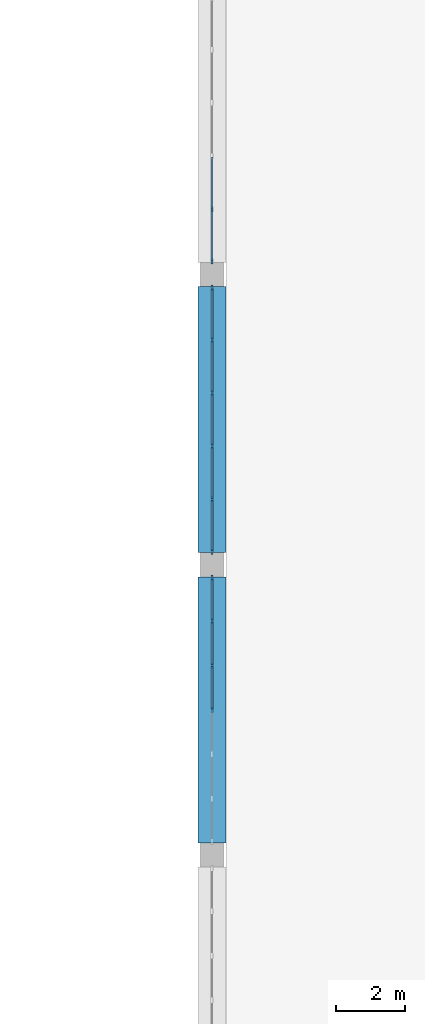
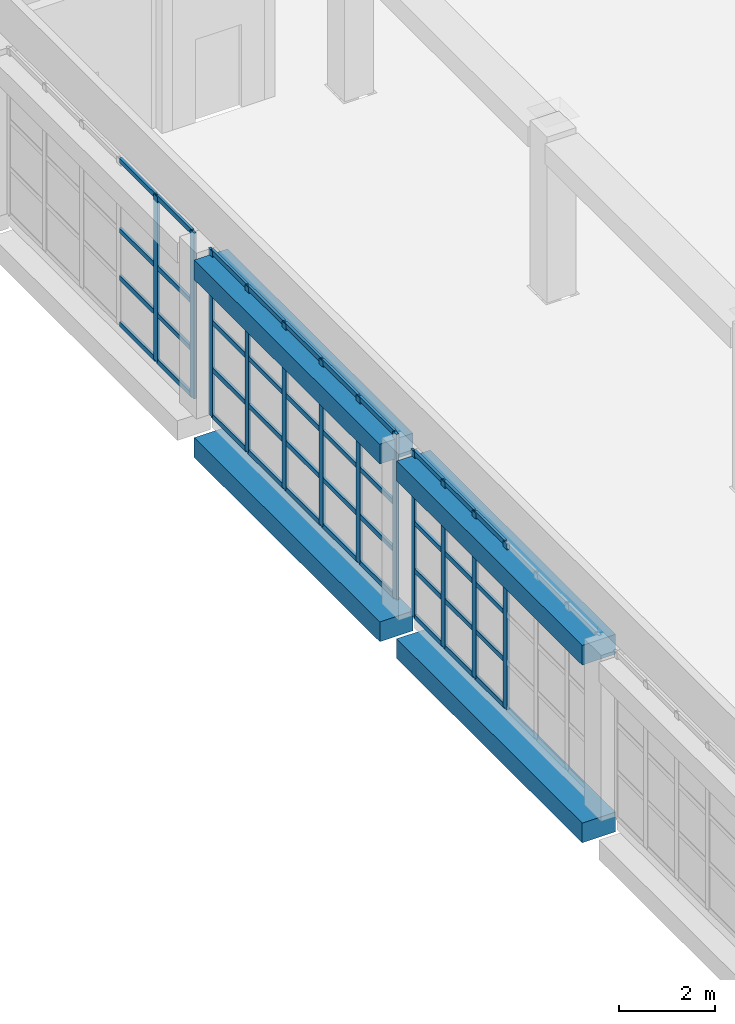
# One storey, part 40 of 162: 52 members, 4 beams, 3 elements without a shape of their own.
"""IFC4 building model written with IfcOpenShell, lengths in metres."""

from ifc_helpers import new_model, si_unit, direction, frame, origin, origin_2d, place, context, subcontext, project, spatial, rectangle, extrude, material, layer, layer_set, material_profile, profile_set, type_object, element, aggregate, save


model = new_model("IFC4")

# Units and contexts
model_context = context("Model", 3, precision=1e-05, world=origin(), true_north=direction((0.0, 1.0)))
body_context = subcontext(model_context, "Body", "Model", "MODEL_VIEW")
ifc_project = project(units=[si_unit("LENGTHUNIT", "METRE"), si_unit("AREAUNIT", "SQUARE_METRE"), si_unit("VOLUMEUNIT", "CUBIC_METRE"), si_unit("PLANEANGLEUNIT", "RADIAN"), si_unit("MASSUNIT", "GRAM", prefix="KILO")], contexts=[model_context])

# Site, building, storey
site_placement = place(None, origin())
site = spatial("IfcSite", under=ifc_project, at=site_placement, CompositionType="ELEMENT")
building_placement = place(site_placement, origin())
building = spatial("IfcBuilding", under=site, at=building_placement, Name="Rain Tree Exposition and Congress Centre", CompositionType="ELEMENT")
storey_placement = place(building_placement, frame((0.0, 0.0, 6.0)))
storey = spatial("IfcBuildingStorey", under=building, at=storey_placement, Name="L01", CompositionType="ELEMENT", Elevation=6.0)

# Curtain wall, members
ifc_material_1 = material(Name="Aluminium", Category="aluminium")
ifc_layer = layer(ifc_material_1, 0.10009765625)
ifc_layer_set = layer_set([ifc_layer], Name="Aluminium")
curtain_wall_type = type_object("IfcCurtainWallType", Name="Curtain wall congress", PredefinedType="NOTDEFINED", material=ifc_layer_set)
curtain_wall_1_placement = place(storey_placement, origin())
curtain_wall_1 = element("IfcCurtainWall", 1, at=curtain_wall_1_placement, inside=storey, type_object=curtain_wall_type, Name="Foyer curtain wall L01 bay 3", PredefinedType="NOTDEFINED")
ifc_material_2 = material(Name="Aluminium", Category="aluminium")
ifc_material_profile_1 = material_profile(ifc_material_2, rectangle(XDim=0.06005859375, YDim=0.159912109375, at=origin_2d()), Name="AL 60x160")
ifc_profile_set_1 = profile_set([ifc_material_profile_1], Name="Aluminium")
member_type_1 = type_object("IfcMemberType", Name="Curtain wall mullion 60x160 congress", PredefinedType="MULLION", material=ifc_profile_set_1)
member_1_placement = place(storey_placement, frame((151.199951171875, 29.39990234375, 0.0), z_axis=(0.0, 0.0, 1.0), x_axis=(-1.0, 0.0, 0.0)))
member_1 = element("IfcMember", 2, at=member_1_placement, type_object=member_type_1, Name="CWG403 mullion 4", PredefinedType="MULLION", context=body_context, shape_type="SweptSolid", body=[
    extrude(rectangle(XDim=0.06005859375, YDim=0.159912109375, at=origin_2d()), origin(), (0.0, 0.0, 1.0), 4.199951171875),
])
member_2_placement = place(storey_placement, frame((151.199951171875, 30.683349609375, 0.0), z_axis=(0.0, 0.0, 1.0), x_axis=(-1.0, 0.0, 0.0)))
member_2 = element("IfcMember", 3, at=member_2_placement, type_object=member_type_1, Name="CWG403 mullion 5", PredefinedType="MULLION", context=body_context, shape_type="SweptSolid", body=[
    extrude(rectangle(XDim=0.06005859375, YDim=0.159912109375, at=origin_2d()), origin(), (0.0, 0.0, 1.0), 4.199951171875),
])
member_3_placement = place(storey_placement, frame((151.199951171875, 31.966552734375, 0.0), z_axis=(0.0, 0.0, 1.0), x_axis=(-1.0, 0.0, 0.0)))
member_3 = element("IfcMember", 4, at=member_3_placement, type_object=member_type_1, Name="CWG403 mullion 6", PredefinedType="MULLION", context=body_context, shape_type="SweptSolid", body=[
    extrude(rectangle(XDim=0.06005859375, YDim=0.159912109375, at=origin_2d()), origin(), (0.0, 0.0, 1.0), 4.199951171875),
])
member_4_placement = place(storey_placement, frame((151.199951171875, 33.219970703125, 0.0), z_axis=(0.0, 0.0, 1.0), x_axis=(-1.0, 0.0, 0.0)))
member_4 = element("IfcMember", 5, at=member_4_placement, type_object=member_type_1, Name="CWG403 mullion 7", PredefinedType="MULLION", context=body_context, shape_type="SweptSolid", body=[
    extrude(rectangle(XDim=0.06005859375, YDim=0.159912109375, at=origin_2d()), origin(), (0.0, 0.0, 1.0), 4.199951171875),
])

curtain_wall_2_placement = place(storey_placement, origin())
curtain_wall_2 = element("IfcCurtainWall", 6, at=curtain_wall_2_placement, inside=storey, type_object=curtain_wall_type, Name="Foyer curtain wall L01 bay 4", PredefinedType="NOTDEFINED")
member_5_placement = place(storey_placement, frame((151.199951171875, 33.97998046875, 0.0), z_axis=(0.0, 0.0, 1.0), x_axis=(-1.0, 0.0, 0.0)))
member_5 = element("IfcMember", 7, at=member_5_placement, type_object=member_type_1, Name="CWG404 mullion 1", PredefinedType="MULLION", context=body_context, shape_type="SweptSolid", body=[
    extrude(rectangle(XDim=0.06005859375, YDim=0.159912109375, at=origin_2d()), origin(), (0.0, 0.0, 1.0), 4.199951171875),
])
member_6_placement = place(storey_placement, frame((151.199951171875, 35.489990234375, 0.0), z_axis=(0.0, 0.0, 1.0), x_axis=(-1.0, 0.0, 0.0)))
member_6 = element("IfcMember", 8, at=member_6_placement, type_object=member_type_1, Name="CWG404 mullion 2", PredefinedType="MULLION", context=body_context, shape_type="SweptSolid", body=[
    extrude(rectangle(XDim=0.06005859375, YDim=0.159912109375, at=origin_2d()), origin(), (0.0, 0.0, 1.0), 4.199951171875),
])
member_7_placement = place(storey_placement, frame((151.199951171875, 37.030029296875, 0.0), z_axis=(0.0, 0.0, 1.0), x_axis=(-1.0, 0.0, 0.0)))
member_7 = element("IfcMember", 9, at=member_7_placement, type_object=member_type_1, Name="CWG404 mullion 3", PredefinedType="MULLION", context=body_context, shape_type="SweptSolid", body=[
    extrude(rectangle(XDim=0.06005859375, YDim=0.159912109375, at=origin_2d()), origin(), (0.0, 0.0, 1.0), 4.199951171875),
])
member_8_placement = place(storey_placement, frame((151.199951171875, 38.570068359375, 0.0), z_axis=(0.0, 0.0, 1.0), x_axis=(-1.0, 0.0, 0.0)))
member_8 = element("IfcMember", 10, at=member_8_placement, type_object=member_type_1, Name="CWG404 mullion 4", PredefinedType="MULLION", context=body_context, shape_type="SweptSolid", body=[
    extrude(rectangle(XDim=0.06005859375, YDim=0.159912109375, at=origin_2d()), origin(), (0.0, 0.0, 1.0), 4.199951171875),
])
member_9_placement = place(storey_placement, frame((151.199951171875, 40.110107421875, 0.0), z_axis=(0.0, 0.0, 1.0), x_axis=(-1.0, 0.0, 0.0)))
member_9 = element("IfcMember", 11, at=member_9_placement, type_object=member_type_1, Name="CWG404 mullion 5", PredefinedType="MULLION", context=body_context, shape_type="SweptSolid", body=[
    extrude(rectangle(XDim=0.06005859375, YDim=0.159912109375, at=origin_2d()), origin(), (0.0, 0.0, 1.0), 4.199951171875),
])
member_10_placement = place(storey_placement, frame((151.199951171875, 41.6201171875, 0.0), z_axis=(0.0, 0.0, 1.0), x_axis=(-1.0, 0.0, 0.0)))
member_10 = element("IfcMember", 12, at=member_10_placement, type_object=member_type_1, Name="CWG404 mullion 6", PredefinedType="MULLION", context=body_context, shape_type="SweptSolid", body=[
    extrude(rectangle(XDim=0.06005859375, YDim=0.159912109375, at=origin_2d()), origin(), (0.0, 0.0, 1.0), 4.199951171875),
])

curtain_wall_3_placement = place(storey_placement, origin())
curtain_wall_3 = element("IfcCurtainWall", 13, at=curtain_wall_3_placement, inside=storey, type_object=curtain_wall_type, Name="Foyer curtain wall L01 bay 5", PredefinedType="NOTDEFINED")
member_11_placement = place(storey_placement, frame((151.199951171875, 42.3798828125, 0.0), z_axis=(0.0, 0.0, 1.0), x_axis=(-1.0, 0.0, 0.0)))
member_11 = element("IfcMember", 14, at=member_11_placement, type_object=member_type_1, Name="CWG405 mullion 1", PredefinedType="MULLION", context=body_context, shape_type="SweptSolid", body=[
    extrude(rectangle(XDim=0.06005859375, YDim=0.159912109375, at=origin_2d()), origin(), (0.0, 0.0, 1.0), 4.199951171875),
])
member_12_placement = place(storey_placement, frame((151.199951171875, 43.889892578125, 0.0), z_axis=(0.0, 0.0, 1.0), x_axis=(-1.0, 0.0, 0.0)))
member_12 = element("IfcMember", 15, at=member_12_placement, type_object=member_type_1, Name="CWG405 mullion 2", PredefinedType="MULLION", context=body_context, shape_type="SweptSolid", body=[
    extrude(rectangle(XDim=0.06005859375, YDim=0.159912109375, at=origin_2d()), origin(), (0.0, 0.0, 1.0), 4.199951171875),
])

# Member
ifc_material_3 = material(Name="Aluminium", Category="aluminium")
ifc_material_profile_2 = material_profile(ifc_material_3, rectangle(XDim=0.06005859375, YDim=0.1201171875, at=origin_2d()), Name="AL 60x120")
ifc_profile_set_2 = profile_set([ifc_material_profile_2], Name="Aluminium")
member_type_2 = type_object("IfcMemberType", Name="Curtain wall transom 60x120 congress", PredefinedType="USERDEFINED", material=ifc_profile_set_2)
member_13_placement = place(storey_placement, frame((151.199951171875, 29.429931640625, 0.030029296875), z_axis=(0.0, 1.0, 0.0), x_axis=(-1.0, 0.0, 0.0)))
member_13 = element("IfcMember", 16, at=member_13_placement, type_object=member_type_2, Name="CWG403 transom 4.1", ObjectType="TRANSOM", PredefinedType="USERDEFINED", context=body_context, shape_type="SweptSolid", body=[
    extrude(rectangle(XDim=0.06005859375, YDim=0.1201171875, at=origin_2d()), origin(), (0.0, 0.0, 1.0), 1.223388671875),
])

member_14_placement = place(storey_placement, frame((151.199951171875, 29.429931640625, 1.199951171875), z_axis=(0.0, 1.0, 0.0), x_axis=(-1.0, 0.0, 0.0)))
member_14 = element("IfcMember", 17, at=member_14_placement, type_object=member_type_2, Name="CWG403 transom 4.2", ObjectType="TRANSOM", PredefinedType="USERDEFINED", context=body_context, shape_type="SweptSolid", body=[
    extrude(rectangle(XDim=0.06005859375, YDim=0.1201171875, at=origin_2d()), origin(), (0.0, 0.0, 1.0), 1.223388671875),
])

member_15_placement = place(storey_placement, frame((151.199951171875, 29.429931640625, 2.39990234375), z_axis=(0.0, 1.0, 0.0), x_axis=(-1.0, 0.0, 0.0)))
member_15 = element("IfcMember", 18, at=member_15_placement, type_object=member_type_2, Name="CWG403 transom 4.3", ObjectType="TRANSOM", PredefinedType="USERDEFINED", context=body_context, shape_type="SweptSolid", body=[
    extrude(rectangle(XDim=0.06005859375, YDim=0.1201171875, at=origin_2d()), origin(), (0.0, 0.0, 1.0), 1.223388671875),
])

member_16_placement = place(storey_placement, frame((151.199951171875, 29.429931640625, 4.169921875), z_axis=(0.0, 1.0, 0.0), x_axis=(-1.0, 0.0, 0.0)))
member_16 = element("IfcMember", 19, at=member_16_placement, type_object=member_type_2, Name="CWG403 transom 4.4", ObjectType="TRANSOM", PredefinedType="USERDEFINED", context=body_context, shape_type="SweptSolid", body=[
    extrude(rectangle(XDim=0.06005859375, YDim=0.1201171875, at=origin_2d()), origin(), (0.0, 0.0, 1.0), 1.223388671875),
])

member_17_placement = place(storey_placement, frame((151.199951171875, 30.71337890625, 0.030029296875), z_axis=(0.0, 1.0, 0.0), x_axis=(-1.0, 0.0, 0.0)))
member_17 = element("IfcMember", 20, at=member_17_placement, type_object=member_type_2, Name="CWG403 transom 5.1", ObjectType="TRANSOM", PredefinedType="USERDEFINED", context=body_context, shape_type="SweptSolid", body=[
    extrude(rectangle(XDim=0.06005859375, YDim=0.1201171875, at=origin_2d()), origin(), (0.0, 0.0, 1.0), 1.223388671875),
])

member_18_placement = place(storey_placement, frame((151.199951171875, 30.71337890625, 1.199951171875), z_axis=(0.0, 1.0, 0.0), x_axis=(-1.0, 0.0, 0.0)))
member_18 = element("IfcMember", 21, at=member_18_placement, type_object=member_type_2, Name="CWG403 transom 5.2", ObjectType="TRANSOM", PredefinedType="USERDEFINED", context=body_context, shape_type="SweptSolid", body=[
    extrude(rectangle(XDim=0.06005859375, YDim=0.1201171875, at=origin_2d()), origin(), (0.0, 0.0, 1.0), 1.223388671875),
])

member_19_placement = place(storey_placement, frame((151.199951171875, 30.71337890625, 2.39990234375), z_axis=(0.0, 1.0, 0.0), x_axis=(-1.0, 0.0, 0.0)))
member_19 = element("IfcMember", 22, at=member_19_placement, type_object=member_type_2, Name="CWG403 transom 5.3", ObjectType="TRANSOM", PredefinedType="USERDEFINED", context=body_context, shape_type="SweptSolid", body=[
    extrude(rectangle(XDim=0.06005859375, YDim=0.1201171875, at=origin_2d()), origin(), (0.0, 0.0, 1.0), 1.223388671875),
])

member_20_placement = place(storey_placement, frame((151.199951171875, 30.71337890625, 4.169921875), z_axis=(0.0, 1.0, 0.0), x_axis=(-1.0, 0.0, 0.0)))
member_20 = element("IfcMember", 23, at=member_20_placement, type_object=member_type_2, Name="CWG403 transom 5.4", ObjectType="TRANSOM", PredefinedType="USERDEFINED", context=body_context, shape_type="SweptSolid", body=[
    extrude(rectangle(XDim=0.06005859375, YDim=0.1201171875, at=origin_2d()), origin(), (0.0, 0.0, 1.0), 1.223388671875),
])

member_21_placement = place(storey_placement, frame((151.199951171875, 31.99658203125, 0.030029296875), z_axis=(0.0, 1.0, 0.0), x_axis=(-1.0, 0.0, 0.0)))
member_21 = element("IfcMember", 24, at=member_21_placement, type_object=member_type_2, Name="CWG403 transom 6.1", ObjectType="TRANSOM", PredefinedType="USERDEFINED", context=body_context, shape_type="SweptSolid", body=[
    extrude(rectangle(XDim=0.06005859375, YDim=0.1201171875, at=origin_2d()), origin(), (0.0, 0.0, 1.0), 1.193359375),
])

member_22_placement = place(storey_placement, frame((151.199951171875, 31.99658203125, 1.199951171875), z_axis=(0.0, 1.0, 0.0), x_axis=(-1.0, 0.0, 0.0)))
member_22 = element("IfcMember", 25, at=member_22_placement, type_object=member_type_2, Name="CWG403 transom 6.2", ObjectType="TRANSOM", PredefinedType="USERDEFINED", context=body_context, shape_type="SweptSolid", body=[
    extrude(rectangle(XDim=0.06005859375, YDim=0.1201171875, at=origin_2d()), origin(), (0.0, 0.0, 1.0), 1.193359375),
])

member_23_placement = place(storey_placement, frame((151.199951171875, 31.99658203125, 2.39990234375), z_axis=(0.0, 1.0, 0.0), x_axis=(-1.0, 0.0, 0.0)))
member_23 = element("IfcMember", 26, at=member_23_placement, type_object=member_type_2, Name="CWG403 transom 6.3", ObjectType="TRANSOM", PredefinedType="USERDEFINED", context=body_context, shape_type="SweptSolid", body=[
    extrude(rectangle(XDim=0.06005859375, YDim=0.1201171875, at=origin_2d()), origin(), (0.0, 0.0, 1.0), 1.193359375),
])

member_24_placement = place(storey_placement, frame((151.199951171875, 31.99658203125, 4.169921875), z_axis=(0.0, 1.0, 0.0), x_axis=(-1.0, 0.0, 0.0)))
member_24 = element("IfcMember", 27, at=member_24_placement, type_object=member_type_2, Name="CWG403 transom 6.4", ObjectType="TRANSOM", PredefinedType="USERDEFINED", context=body_context, shape_type="SweptSolid", body=[
    extrude(rectangle(XDim=0.06005859375, YDim=0.1201171875, at=origin_2d()), origin(), (0.0, 0.0, 1.0), 1.193359375),
])

aggregate(curtain_wall_1, [member_1, member_2, member_3, member_4, member_13, member_14, member_15, member_16, member_17, member_18, member_19, member_20, member_21, member_22, member_23, member_24])

member_25_placement = place(storey_placement, frame((151.199951171875, 34.010009765625, 0.030029296875), z_axis=(0.0, 1.0, 0.0), x_axis=(-1.0, 0.0, 0.0)))
member_25 = element("IfcMember", 28, at=member_25_placement, type_object=member_type_2, Name="CWG404 transom 1.1", ObjectType="TRANSOM", PredefinedType="USERDEFINED", context=body_context, shape_type="SweptSolid", body=[
    extrude(rectangle(XDim=0.06005859375, YDim=0.1201171875, at=origin_2d()), origin(), (0.0, 0.0, 1.0), 1.449951171875),
])

member_26_placement = place(storey_placement, frame((151.199951171875, 34.010009765625, 1.199951171875), z_axis=(0.0, 1.0, 0.0), x_axis=(-1.0, 0.0, 0.0)))
member_26 = element("IfcMember", 29, at=member_26_placement, type_object=member_type_2, Name="CWG404 transom 1.2", ObjectType="TRANSOM", PredefinedType="USERDEFINED", context=body_context, shape_type="SweptSolid", body=[
    extrude(rectangle(XDim=0.06005859375, YDim=0.1201171875, at=origin_2d()), origin(), (0.0, 0.0, 1.0), 1.449951171875),
])

member_27_placement = place(storey_placement, frame((151.199951171875, 34.010009765625, 2.39990234375), z_axis=(0.0, 1.0, 0.0), x_axis=(-1.0, 0.0, 0.0)))
member_27 = element("IfcMember", 30, at=member_27_placement, type_object=member_type_2, Name="CWG404 transom 1.3", ObjectType="TRANSOM", PredefinedType="USERDEFINED", context=body_context, shape_type="SweptSolid", body=[
    extrude(rectangle(XDim=0.06005859375, YDim=0.1201171875, at=origin_2d()), origin(), (0.0, 0.0, 1.0), 1.449951171875),
])

member_28_placement = place(storey_placement, frame((151.199951171875, 34.010009765625, 4.169921875), z_axis=(0.0, 1.0, 0.0), x_axis=(-1.0, 0.0, 0.0)))
member_28 = element("IfcMember", 31, at=member_28_placement, type_object=member_type_2, Name="CWG404 transom 1.4", ObjectType="TRANSOM", PredefinedType="USERDEFINED", context=body_context, shape_type="SweptSolid", body=[
    extrude(rectangle(XDim=0.06005859375, YDim=0.1201171875, at=origin_2d()), origin(), (0.0, 0.0, 1.0), 1.449951171875),
])

member_29_placement = place(storey_placement, frame((151.199951171875, 35.52001953125, 0.030029296875), z_axis=(0.0, 1.0, 0.0), x_axis=(-1.0, 0.0, 0.0)))
member_29 = element("IfcMember", 32, at=member_29_placement, type_object=member_type_2, Name="CWG404 transom 2.1", ObjectType="TRANSOM", PredefinedType="USERDEFINED", context=body_context, shape_type="SweptSolid", body=[
    extrude(rectangle(XDim=0.06005859375, YDim=0.1201171875, at=origin_2d()), origin(), (0.0, 0.0, 1.0), 1.47998046875),
])

member_30_placement = place(storey_placement, frame((151.199951171875, 35.52001953125, 1.199951171875), z_axis=(0.0, 1.0, 0.0), x_axis=(-1.0, 0.0, 0.0)))
member_30 = element("IfcMember", 33, at=member_30_placement, type_object=member_type_2, Name="CWG404 transom 2.2", ObjectType="TRANSOM", PredefinedType="USERDEFINED", context=body_context, shape_type="SweptSolid", body=[
    extrude(rectangle(XDim=0.06005859375, YDim=0.1201171875, at=origin_2d()), origin(), (0.0, 0.0, 1.0), 1.47998046875),
])

member_31_placement = place(storey_placement, frame((151.199951171875, 35.52001953125, 2.39990234375), z_axis=(0.0, 1.0, 0.0), x_axis=(-1.0, 0.0, 0.0)))
member_31 = element("IfcMember", 34, at=member_31_placement, type_object=member_type_2, Name="CWG404 transom 2.3", ObjectType="TRANSOM", PredefinedType="USERDEFINED", context=body_context, shape_type="SweptSolid", body=[
    extrude(rectangle(XDim=0.06005859375, YDim=0.1201171875, at=origin_2d()), origin(), (0.0, 0.0, 1.0), 1.47998046875),
])

member_32_placement = place(storey_placement, frame((151.199951171875, 35.52001953125, 4.169921875), z_axis=(0.0, 1.0, 0.0), x_axis=(-1.0, 0.0, 0.0)))
member_32 = element("IfcMember", 35, at=member_32_placement, type_object=member_type_2, Name="CWG404 transom 2.4", ObjectType="TRANSOM", PredefinedType="USERDEFINED", context=body_context, shape_type="SweptSolid", body=[
    extrude(rectangle(XDim=0.06005859375, YDim=0.1201171875, at=origin_2d()), origin(), (0.0, 0.0, 1.0), 1.47998046875),
])

member_33_placement = place(storey_placement, frame((151.199951171875, 37.06005859375, 0.030029296875), z_axis=(0.0, 1.0, 0.0), x_axis=(-1.0, 0.0, 0.0)))
member_33 = element("IfcMember", 36, at=member_33_placement, type_object=member_type_2, Name="CWG404 transom 3.1", ObjectType="TRANSOM", PredefinedType="USERDEFINED", context=body_context, shape_type="SweptSolid", body=[
    extrude(rectangle(XDim=0.06005859375, YDim=0.1201171875, at=origin_2d()), origin(), (0.0, 0.0, 1.0), 1.47998046875),
])

member_34_placement = place(storey_placement, frame((151.199951171875, 37.06005859375, 1.199951171875), z_axis=(0.0, 1.0, 0.0), x_axis=(-1.0, 0.0, 0.0)))
member_34 = element("IfcMember", 37, at=member_34_placement, type_object=member_type_2, Name="CWG404 transom 3.2", ObjectType="TRANSOM", PredefinedType="USERDEFINED", context=body_context, shape_type="SweptSolid", body=[
    extrude(rectangle(XDim=0.06005859375, YDim=0.1201171875, at=origin_2d()), origin(), (0.0, 0.0, 1.0), 1.47998046875),
])

member_35_placement = place(storey_placement, frame((151.199951171875, 37.06005859375, 2.39990234375), z_axis=(0.0, 1.0, 0.0), x_axis=(-1.0, 0.0, 0.0)))
member_35 = element("IfcMember", 38, at=member_35_placement, type_object=member_type_2, Name="CWG404 transom 3.3", ObjectType="TRANSOM", PredefinedType="USERDEFINED", context=body_context, shape_type="SweptSolid", body=[
    extrude(rectangle(XDim=0.06005859375, YDim=0.1201171875, at=origin_2d()), origin(), (0.0, 0.0, 1.0), 1.47998046875),
])

member_36_placement = place(storey_placement, frame((151.199951171875, 37.06005859375, 4.169921875), z_axis=(0.0, 1.0, 0.0), x_axis=(-1.0, 0.0, 0.0)))
member_36 = element("IfcMember", 39, at=member_36_placement, type_object=member_type_2, Name="CWG404 transom 3.4", ObjectType="TRANSOM", PredefinedType="USERDEFINED", context=body_context, shape_type="SweptSolid", body=[
    extrude(rectangle(XDim=0.06005859375, YDim=0.1201171875, at=origin_2d()), origin(), (0.0, 0.0, 1.0), 1.47998046875),
])

member_37_placement = place(storey_placement, frame((151.199951171875, 38.60009765625, 0.030029296875), z_axis=(0.0, 1.0, 0.0), x_axis=(-1.0, 0.0, 0.0)))
member_37 = element("IfcMember", 40, at=member_37_placement, type_object=member_type_2, Name="CWG404 transom 4.1", ObjectType="TRANSOM", PredefinedType="USERDEFINED", context=body_context, shape_type="SweptSolid", body=[
    extrude(rectangle(XDim=0.06005859375, YDim=0.1201171875, at=origin_2d()), origin(), (0.0, 0.0, 1.0), 1.47998046875),
])

member_38_placement = place(storey_placement, frame((151.199951171875, 38.60009765625, 1.199951171875), z_axis=(0.0, 1.0, 0.0), x_axis=(-1.0, 0.0, 0.0)))
member_38 = element("IfcMember", 41, at=member_38_placement, type_object=member_type_2, Name="CWG404 transom 4.2", ObjectType="TRANSOM", PredefinedType="USERDEFINED", context=body_context, shape_type="SweptSolid", body=[
    extrude(rectangle(XDim=0.06005859375, YDim=0.1201171875, at=origin_2d()), origin(), (0.0, 0.0, 1.0), 1.47998046875),
])

member_39_placement = place(storey_placement, frame((151.199951171875, 38.60009765625, 2.39990234375), z_axis=(0.0, 1.0, 0.0), x_axis=(-1.0, 0.0, 0.0)))
member_39 = element("IfcMember", 42, at=member_39_placement, type_object=member_type_2, Name="CWG404 transom 4.3", ObjectType="TRANSOM", PredefinedType="USERDEFINED", context=body_context, shape_type="SweptSolid", body=[
    extrude(rectangle(XDim=0.06005859375, YDim=0.1201171875, at=origin_2d()), origin(), (0.0, 0.0, 1.0), 1.47998046875),
])

member_40_placement = place(storey_placement, frame((151.199951171875, 38.60009765625, 4.169921875), z_axis=(0.0, 1.0, 0.0), x_axis=(-1.0, 0.0, 0.0)))
member_40 = element("IfcMember", 43, at=member_40_placement, type_object=member_type_2, Name="CWG404 transom 4.4", ObjectType="TRANSOM", PredefinedType="USERDEFINED", context=body_context, shape_type="SweptSolid", body=[
    extrude(rectangle(XDim=0.06005859375, YDim=0.1201171875, at=origin_2d()), origin(), (0.0, 0.0, 1.0), 1.47998046875),
])

member_41_placement = place(storey_placement, frame((151.199951171875, 40.139892578125, 0.030029296875), z_axis=(0.0, 1.0, 0.0), x_axis=(-1.0, 0.0, 0.0)))
member_41 = element("IfcMember", 44, at=member_41_placement, type_object=member_type_2, Name="CWG404 transom 5.1", ObjectType="TRANSOM", PredefinedType="USERDEFINED", context=body_context, shape_type="SweptSolid", body=[
    extrude(rectangle(XDim=0.06005859375, YDim=0.1201171875, at=origin_2d()), origin(), (0.0, 0.0, 1.0), 1.4501953125),
])

member_42_placement = place(storey_placement, frame((151.199951171875, 40.139892578125, 1.199951171875), z_axis=(0.0, 1.0, 0.0), x_axis=(-1.0, 0.0, 0.0)))
member_42 = element("IfcMember", 45, at=member_42_placement, type_object=member_type_2, Name="CWG404 transom 5.2", ObjectType="TRANSOM", PredefinedType="USERDEFINED", context=body_context, shape_type="SweptSolid", body=[
    extrude(rectangle(XDim=0.06005859375, YDim=0.1201171875, at=origin_2d()), origin(), (0.0, 0.0, 1.0), 1.4501953125),
])

member_43_placement = place(storey_placement, frame((151.199951171875, 40.139892578125, 2.39990234375), z_axis=(0.0, 1.0, 0.0), x_axis=(-1.0, 0.0, 0.0)))
member_43 = element("IfcMember", 46, at=member_43_placement, type_object=member_type_2, Name="CWG404 transom 5.3", ObjectType="TRANSOM", PredefinedType="USERDEFINED", context=body_context, shape_type="SweptSolid", body=[
    extrude(rectangle(XDim=0.06005859375, YDim=0.1201171875, at=origin_2d()), origin(), (0.0, 0.0, 1.0), 1.4501953125),
])

member_44_placement = place(storey_placement, frame((151.199951171875, 40.139892578125, 4.169921875), z_axis=(0.0, 1.0, 0.0), x_axis=(-1.0, 0.0, 0.0)))
member_44 = element("IfcMember", 47, at=member_44_placement, type_object=member_type_2, Name="CWG404 transom 5.4", ObjectType="TRANSOM", PredefinedType="USERDEFINED", context=body_context, shape_type="SweptSolid", body=[
    extrude(rectangle(XDim=0.06005859375, YDim=0.1201171875, at=origin_2d()), origin(), (0.0, 0.0, 1.0), 1.4501953125),
])

aggregate(curtain_wall_2, [member_5, member_6, member_7, member_8, member_9, member_10, member_25, member_26, member_27, member_28, member_29, member_30, member_31, member_32, member_33, member_34, member_35, member_36, member_37, member_38, member_39, member_40, member_41, member_42, member_43, member_44])

member_45_placement = place(storey_placement, frame((151.199951171875, 42.409912109375, 0.030029296875), z_axis=(0.0, 1.0, 0.0), x_axis=(-1.0, 0.0, 0.0)))
member_45 = element("IfcMember", 48, at=member_45_placement, type_object=member_type_2, Name="CWG405 transom 1.1", ObjectType="TRANSOM", PredefinedType="USERDEFINED", context=body_context, shape_type="SweptSolid", body=[
    extrude(rectangle(XDim=0.06005859375, YDim=0.1201171875, at=origin_2d()), origin(), (0.0, 0.0, 1.0), 1.4501953125),
])

member_46_placement = place(storey_placement, frame((151.199951171875, 42.409912109375, 1.199951171875), z_axis=(0.0, 1.0, 0.0), x_axis=(-1.0, 0.0, 0.0)))
member_46 = element("IfcMember", 49, at=member_46_placement, type_object=member_type_2, Name="CWG405 transom 1.2", ObjectType="TRANSOM", PredefinedType="USERDEFINED", context=body_context, shape_type="SweptSolid", body=[
    extrude(rectangle(XDim=0.06005859375, YDim=0.1201171875, at=origin_2d()), origin(), (0.0, 0.0, 1.0), 1.4501953125),
])

member_47_placement = place(storey_placement, frame((151.199951171875, 42.409912109375, 2.39990234375), z_axis=(0.0, 1.0, 0.0), x_axis=(-1.0, 0.0, 0.0)))
member_47 = element("IfcMember", 50, at=member_47_placement, type_object=member_type_2, Name="CWG405 transom 1.3", ObjectType="TRANSOM", PredefinedType="USERDEFINED", context=body_context, shape_type="SweptSolid", body=[
    extrude(rectangle(XDim=0.06005859375, YDim=0.1201171875, at=origin_2d()), origin(), (0.0, 0.0, 1.0), 1.4501953125),
])

member_48_placement = place(storey_placement, frame((151.199951171875, 42.409912109375, 4.169921875), z_axis=(0.0, 1.0, 0.0), x_axis=(-1.0, 0.0, 0.0)))
member_48 = element("IfcMember", 51, at=member_48_placement, type_object=member_type_2, Name="CWG405 transom 1.4", ObjectType="TRANSOM", PredefinedType="USERDEFINED", context=body_context, shape_type="SweptSolid", body=[
    extrude(rectangle(XDim=0.06005859375, YDim=0.1201171875, at=origin_2d()), origin(), (0.0, 0.0, 1.0), 1.4501953125),
])

member_49_placement = place(storey_placement, frame((151.199951171875, 43.919921875, 0.030029296875), z_axis=(0.0, 1.0, 0.0), x_axis=(-1.0, 0.0, 0.0)))
member_49 = element("IfcMember", 52, at=member_49_placement, type_object=member_type_2, Name="CWG405 transom 2.1", ObjectType="TRANSOM", PredefinedType="USERDEFINED", context=body_context, shape_type="SweptSolid", body=[
    extrude(rectangle(XDim=0.06005859375, YDim=0.1201171875, at=origin_2d()), origin(), (0.0, 0.0, 1.0), 1.47998046875),
])

member_50_placement = place(storey_placement, frame((151.199951171875, 43.919921875, 1.199951171875), z_axis=(0.0, 1.0, 0.0), x_axis=(-1.0, 0.0, 0.0)))
member_50 = element("IfcMember", 53, at=member_50_placement, type_object=member_type_2, Name="CWG405 transom 2.2", ObjectType="TRANSOM", PredefinedType="USERDEFINED", context=body_context, shape_type="SweptSolid", body=[
    extrude(rectangle(XDim=0.06005859375, YDim=0.1201171875, at=origin_2d()), origin(), (0.0, 0.0, 1.0), 1.47998046875),
])

member_51_placement = place(storey_placement, frame((151.199951171875, 43.919921875, 2.39990234375), z_axis=(0.0, 1.0, 0.0), x_axis=(-1.0, 0.0, 0.0)))
member_51 = element("IfcMember", 54, at=member_51_placement, type_object=member_type_2, Name="CWG405 transom 2.3", ObjectType="TRANSOM", PredefinedType="USERDEFINED", context=body_context, shape_type="SweptSolid", body=[
    extrude(rectangle(XDim=0.06005859375, YDim=0.1201171875, at=origin_2d()), origin(), (0.0, 0.0, 1.0), 1.47998046875),
])

member_52_placement = place(storey_placement, frame((151.199951171875, 43.919921875, 4.169921875), z_axis=(0.0, 1.0, 0.0), x_axis=(-1.0, 0.0, 0.0)))
member_52 = element("IfcMember", 55, at=member_52_placement, type_object=member_type_2, Name="CWG405 transom 2.4", ObjectType="TRANSOM", PredefinedType="USERDEFINED", context=body_context, shape_type="SweptSolid", body=[
    extrude(rectangle(XDim=0.06005859375, YDim=0.1201171875, at=origin_2d()), origin(), (0.0, 0.0, 1.0), 1.47998046875),
])

aggregate(curtain_wall_3, [member_11, member_12, member_45, member_46, member_47, member_48, member_49, member_50, member_51, member_52])

# Beams
ifc_material_4 = material(Name="Precast concrete C50/60", Category="concrete")
ifc_material_profile_3 = material_profile(ifc_material_4, rectangle(XDim=0.5, YDim=0.800048828125, at=origin_2d()), Name="RC 500x800")
ifc_profile_set_3 = profile_set([ifc_material_profile_3], Name="Precast concrete C50/60")
beam_type = type_object("IfcBeamType", Name="Precast beam 500x800", PredefinedType="BEAM", material=ifc_profile_set_3)
for number, where, z_axis, x_axis, name in (
    (56, (151.199951171875, 25.550048828125, -0.699951171875), (0.0, 1.0, 0.0), (0.0, 0.0, 1.0), "Foyer beam"),
    (57, (151.199951171875, 33.949951171875, -0.699951171875), (0.0, 1.0, 0.0), (0.0, 0.0, 1.0), "Foyer beam"),
    (58, (151.199951171875, 25.550048828125, 3.800048828125), (0.0, 1.0, 0.0), (0.0, 0.0, 1.0), "Foyer beam"),
    (59, (151.199951171875, 33.949951171875, 3.800048828125), (0.0, 1.0, 0.0), (0.0, 0.0, 1.0), "Foyer beam"),
):
    element("IfcBeam", number, at=place(storey_placement, frame(where, z_axis=z_axis, x_axis=x_axis)), inside=storey, type_object=beam_type, Name=name, PredefinedType="BEAM", context=body_context, shape_type="SweptSolid", body=[
        extrude(rectangle(XDim=0.5, YDim=0.800048828125, at=origin_2d()), origin(), (0.0, 0.0, 1.0), 7.699951171875),
    ])

save(model, "model.ifc")
